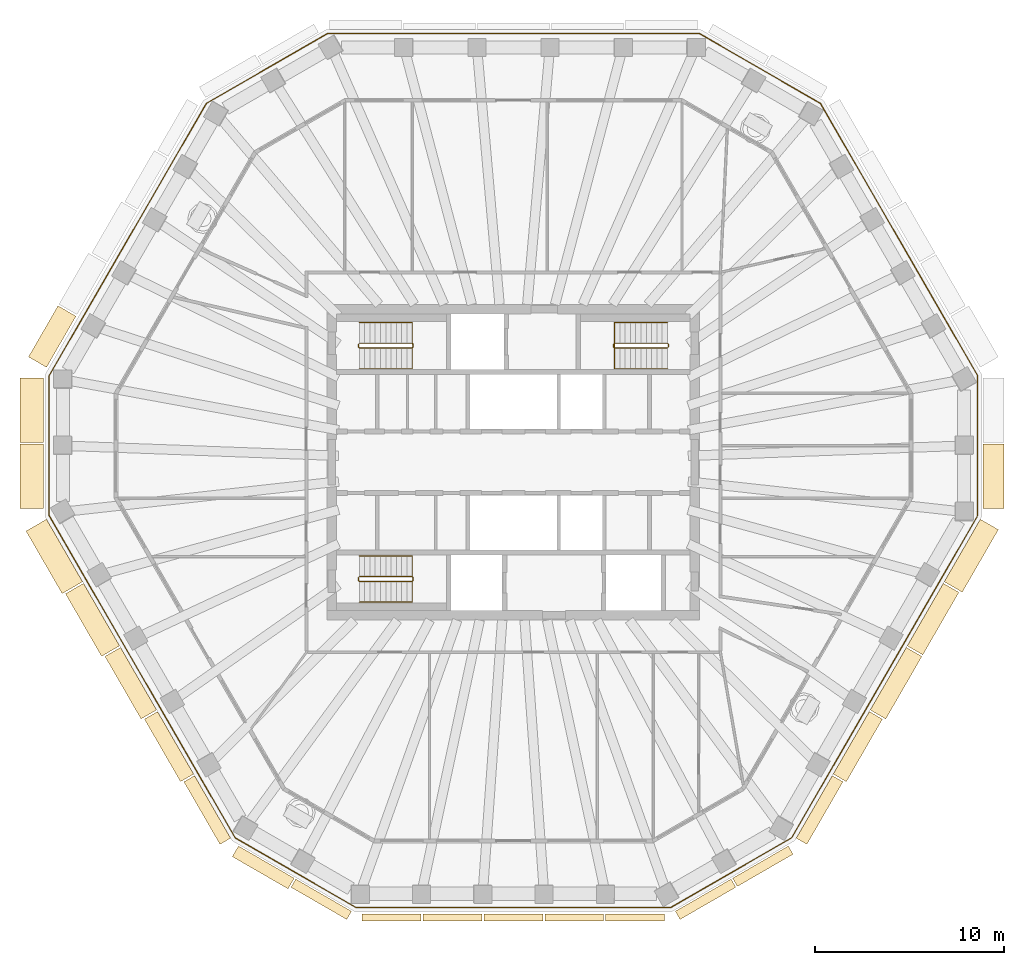
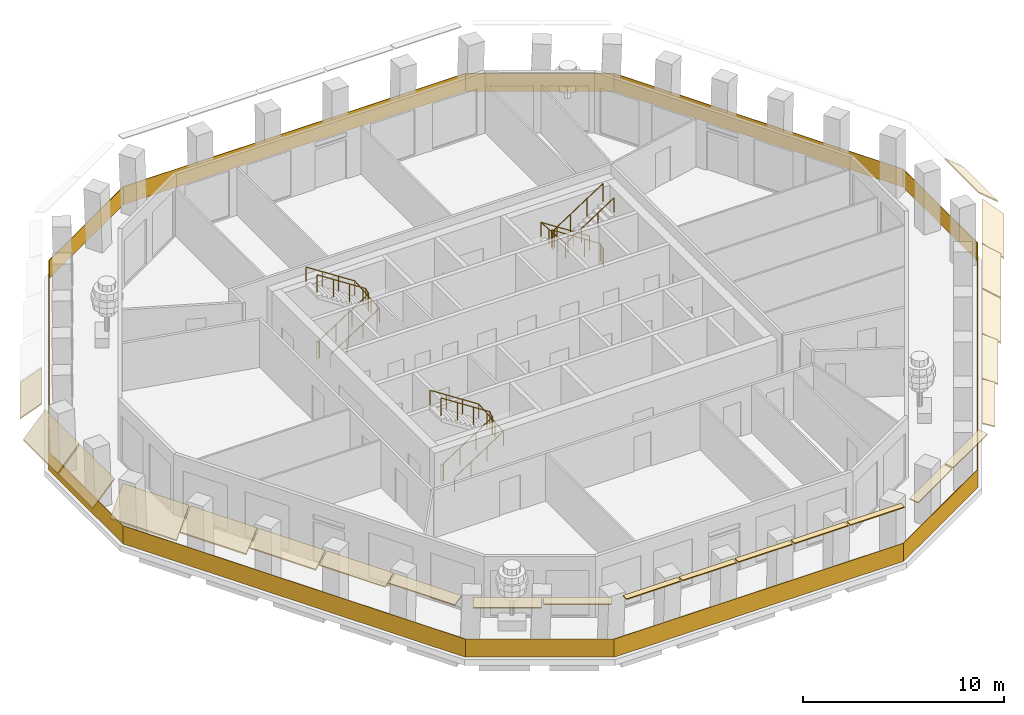
# One storey, part 9 of 12: 23 coverings, 7 railings.
"""IFC4 building model written with IfcOpenShell, lengths in metres."""

from ifc_helpers import new_model, si_unit, direction, frame, origin, origin_2d, place, context, subcontext, project, spatial, polyline, rectangle, circle, outline, extrude, material, layer, layer_set, type_object, element, save


model = new_model("IFC4")

# Units and contexts
model_context = context("Model", 3, precision=1e-05, world=origin(), true_north=direction((0.0, 1.0)))
body_context = subcontext(model_context, "Body", "Model", "MODEL_VIEW")
ifc_project = project(units=[si_unit("LENGTHUNIT", "METRE"), si_unit("AREAUNIT", "SQUARE_METRE"), si_unit("VOLUMEUNIT", "CUBIC_METRE"), si_unit("PLANEANGLEUNIT", "RADIAN"), si_unit("MASSUNIT", "GRAM", prefix="KILO")], contexts=[model_context])

# Site, building, storey
site_placement = place(None, origin())
site = spatial("IfcSite", under=ifc_project, at=site_placement, CompositionType="ELEMENT")
building_placement = place(site_placement, origin())
building = spatial("IfcBuilding", under=site, at=building_placement, Name="Frailejon Research Tower", CompositionType="ELEMENT")
storey_placement = place(building_placement, frame((0.0, 0.0, 291.0)))
storey = spatial("IfcBuildingStorey", under=building, at=storey_placement, Name="L64", CompositionType="ELEMENT", Elevation=291.0)

# Coverings
ifc_material_1 = material(Name="Precast concrete C50/60", Category="concrete")
ifc_layer_1 = layer(ifc_material_1, 0.06005859375)
ifc_layer_set_1 = layer_set([ifc_layer_1], Name="Brim blade depth 1100")
covering_type_1 = type_object("IfcCoveringType", Name="Brim blade depth 1100", PredefinedType="CLADDING", material=ifc_layer_set_1)
covering_1_placement = place(storey_placement, frame((24.8544921875, 0.95556640625, 3.85009765625), z_axis=(0.0, -1.0, 0.0), x_axis=(1.0, 0.0, 0.0)))
element("IfcCovering", 1, at=covering_1_placement, inside=storey, type_object=covering_type_1, Name="Brim blade L64", PredefinedType="CLADDING", context=body_context, shape_type="SweptSolid", body=[
    extrude(outline(polyline([(0.0, -0.078369140625), (1.10009765625, -1.001220703125), (1.10009765625, -0.923095703125), (0.0, 0.0), (0.0, -0.078369140625)])), origin(), (0.0, 0.0, 1.0), 3.40185546875),
])
covering_2_placement = place(storey_placement, frame((-24.7021484375, 5.02587890625, 3.85009765625), z_axis=(0.499997604048, 0.866026787083, 0.0), x_axis=(-0.866026787083, 0.499997604048, 0.0)))
element("IfcCovering", 2, at=covering_2_placement, inside=storey, type_object=covering_type_1, Name="Brim blade L64", PredefinedType="CLADDING", context=body_context, shape_type="SweptSolid", body=[
    extrude(outline(polyline([(0.0, -0.078369140625), (1.10009765625, -1.001220703125), (1.10009765625, -0.923095703125), (0.0, 0.0), (0.0, -0.078369140625)])), origin(), (0.0, 0.0, 1.0), 3.119384765625),
])
for number, where, z_axis, x_axis, name in (
    (3, (-20.8359375, -9.7109375, 3.85009765625), (-0.50000317175, 0.866023572566, 0.0), (-0.866023572566, -0.50000317175, 0.0), "Brim blade L64"),
    (4, (24.7021484375, -3.0146484375, 3.85009765625), (-0.499984019846, -0.866034629734, 0.0), (0.866034629734, -0.499984019846, 0.0), "Brim blade L64"),
):
    element("IfcCovering", number, at=place(storey_placement, frame(where, z_axis=z_axis, x_axis=x_axis)), inside=storey, type_object=covering_type_1, Name=name, PredefinedType="CLADDING", context=body_context, shape_type="SweptSolid", body=[
        extrude(outline(polyline([(0.0, -0.078369140625), (1.10009765625, -1.001220703125), (1.10009765625, -0.923095703125), (0.0, 0.0), (0.0, -0.078369140625)])), origin(), (0.0, 0.0, 1.0), 3.816162109375),
    ])
ifc_material_2 = material(Name="Precast concrete C50/60", Category="concrete")
ifc_layer_2 = layer(ifc_material_2, 0.06005859375)
ifc_layer_set_2 = layer_set([ifc_layer_2], Name="Brim blade depth 1250")
covering_type_2 = type_object("IfcCoveringType", Name="Brim blade depth 1250", PredefinedType="CLADDING", material=ifc_layer_set_2)
covering_3_placement = place(storey_placement, frame((-24.8544921875, 1.0556640625, 3.85009765625), z_axis=(0.0, 1.0, 0.0), x_axis=(-1.0, 0.0, 0.0)))
element("IfcCovering", 5, at=covering_3_placement, inside=storey, type_object=covering_type_2, Name="Brim blade L64", PredefinedType="CLADDING", context=body_context, shape_type="SweptSolid", body=[
    extrude(outline(polyline([(0.0, -0.0888671875), (1.25, -1.452880859375), (1.25, -1.364013671875), (0.0, 0.0), (0.0, -0.0888671875)])), origin(), (0.0, 0.0, 1.0), 3.402099609375),
])
covering_4_placement = place(storey_placement, frame((-24.8544921875, -2.4462890625, 3.85009765625), z_axis=(0.0, 1.0, 0.0), x_axis=(-1.0, 0.0, 0.0)))
element("IfcCovering", 6, at=covering_4_placement, inside=storey, type_object=covering_type_2, Name="Brim blade L64", PredefinedType="CLADDING", context=body_context, shape_type="SweptSolid", body=[
    extrude(outline(polyline([(0.0, -0.0888671875), (1.25, -1.452880859375), (1.25, -1.364013671875), (0.0, 0.0), (0.0, -0.0888671875)])), origin(), (0.0, 0.0, 1.0), 3.40185546875),
])
covering_5_placement = place(storey_placement, frame((-22.794189453125, -6.319580078125, 3.85009765625), z_axis=(-0.499984019846, 0.866034629734, 0.0), x_axis=(-0.866034629734, -0.499984019846, 0.0)))
element("IfcCovering", 7, at=covering_5_placement, inside=storey, type_object=covering_type_2, Name="Brim blade L64", PredefinedType="CLADDING", context=body_context, shape_type="SweptSolid", body=[
    extrude(outline(polyline([(0.0, -0.0888671875), (1.25, -1.452880859375), (1.25, -1.364013671875), (0.0, 0.0), (0.0, -0.0888671875)])), origin(), (0.0, 0.0, 1.0), 3.816162109375),
])
ifc_material_3 = material(Name="Precast concrete C50/60", Category="concrete")
ifc_layer_3 = layer(ifc_material_3, 0.06005859375)
ifc_layer_set_3 = layer_set([ifc_layer_3], Name="Brim blade depth 350")
covering_type_3 = type_object("IfcCoveringType", Name="Brim blade depth 350", PredefinedType="CLADDING", material=ifc_layer_set_3)
for number, where, z_axis, x_axis, name in (
    (8, (-4.879150390625, -23.905517578125, 3.85009765625), (-1.0, 0.0, 0.0), (0.0, -1.0, 0.0), "Brim blade L64"),
    (9, (-1.65966796875, -23.905517578125, 3.85009765625), (-1.0, 0.0, 0.0), (0.0, -1.0, 0.0), "Brim blade L64"),
    (10, (1.559814453125, -23.905517578125, 3.85009765625), (-1.0, 0.0, 0.0), (0.0, -1.0, 0.0), "Brim blade L64"),
    (11, (4.779052734375, -23.905517578125, 3.85009765625), (-1.0, 0.0, 0.0), (0.0, -1.0, 0.0), "Brim blade L64"),
    (12, (7.99853515625, -23.905517578125, 3.85009765625), (-1.0, 0.0, 0.0), (0.0, -1.0, 0.0), "Brim blade L64"),
):
    element("IfcCovering", number, at=place(storey_placement, frame(where, z_axis=z_axis, x_axis=x_axis)), inside=storey, type_object=covering_type_3, Name=name, PredefinedType="CLADDING", context=body_context, shape_type="SweptSolid", body=[
        extrude(outline(polyline([(0.0, -0.06005859375), (0.35009765625, -0.06005859375), (0.35009765625, 0.0), (0.0, 0.0), (0.0, -0.06005859375)])), origin(), (0.0, 0.0, 1.0), 3.119384765625),
    ])
ifc_material_4 = material(Name="Precast concrete C50/60", Category="concrete")
ifc_layer_4 = layer(ifc_material_4, 0.06005859375)
ifc_layer_set_4 = layer_set([ifc_layer_4], Name="Brim blade depth 500")
covering_type_4 = type_object("IfcCoveringType", Name="Brim blade depth 500", PredefinedType="CLADDING", material=ifc_layer_set_4)
for number, where, z_axis, x_axis, name in (
    (13, (-8.56689453125, -23.75341796875, 3.85009765625), (-0.866036272098, 0.499981175056, 0.0), (-0.499981175056, -0.866036272098, 0.0), "Brim blade L64"),
    (14, (11.512939453125, -22.052490234375, 3.85009765625), (-0.866036272098, -0.499981175056, 0.0), (0.499981175056, -0.866036272098, 0.0), "Brim blade L64"),
):
    element("IfcCovering", number, at=place(storey_placement, frame(where, z_axis=z_axis, x_axis=x_axis)), inside=storey, type_object=covering_type_4, Name=name, PredefinedType="CLADDING", context=body_context, shape_type="SweptSolid", body=[
        extrude(outline(polyline([(0.0, -0.060546875), (0.5, -0.130859375), (0.5, -0.0703125), (0.0, 0.0), (0.0, -0.060546875)])), origin(), (0.0, 0.0, 1.0), 3.40185546875),
    ])
covering_6_placement = place(storey_placement, frame((14.5458984375, -20.301513671875, 3.85009765625), z_axis=(-0.866023907216, -0.500002592124, 0.0), x_axis=(0.500002592124, -0.866023907216, 0.0)))
element("IfcCovering", 15, at=covering_6_placement, inside=storey, type_object=covering_type_4, Name="Brim blade L64", PredefinedType="CLADDING", context=body_context, shape_type="SweptSolid", body=[
    extrude(outline(polyline([(0.0, -0.060546875), (0.5, -0.130859375), (0.5, -0.0703125), (0.0, 0.0), (0.0, -0.060546875)])), origin(), (0.0, 0.0, 1.0), 3.402099609375),
])
ifc_material_5 = material(Name="Precast concrete C50/60", Category="concrete")
ifc_layer_5 = layer(ifc_material_5, 0.06005859375)
ifc_layer_set_5 = layer_set([ifc_layer_5], Name="Brim blade depth 650")
covering_type_5 = type_object("IfcCoveringType", Name="Brim blade depth 650", PredefinedType="CLADDING", material=ifc_layer_set_5)
covering_7_placement = place(storey_placement, frame((-14.9619140625, -19.885498046875, 3.85009765625), z_axis=(-0.50000317175, 0.866023572566, 0.0), x_axis=(-0.866023572566, -0.50000317175, 0.0)))
element("IfcCovering", 16, at=covering_7_placement, inside=storey, type_object=covering_type_5, Name="Brim blade L64", PredefinedType="CLADDING", context=body_context, shape_type="SweptSolid", body=[
    extrude(outline(polyline([(0.0, -0.0625), (0.64990234375, -0.248779296875), (0.64990234375, -0.186279296875), (0.0, 0.0), (0.0, -0.0625)])), origin(), (0.0, 0.0, 1.0), 3.816162109375),
])
covering_8_placement = place(storey_placement, frame((-11.599609375, -22.00244140625, 3.85009765625), z_axis=(-0.866023907216, 0.500002592124, 0.0), x_axis=(-0.500002592124, -0.866023907216, 0.0)))
element("IfcCovering", 17, at=covering_8_placement, inside=storey, type_object=covering_type_5, Name="Brim blade L64", PredefinedType="CLADDING", context=body_context, shape_type="SweptSolid", body=[
    extrude(outline(polyline([(0.0, -0.0625), (0.64990234375, -0.248779296875), (0.64990234375, -0.186279296875), (0.0, 0.0), (0.0, -0.0625)])), origin(), (0.0, 0.0, 1.0), 3.402099609375),
])
covering_9_placement = place(storey_placement, frame((16.869873046875, -16.58056640625, 3.85009765625), z_axis=(-0.50000317175, -0.866023572566, 0.0), x_axis=(0.866023572566, -0.50000317175, 0.0)))
element("IfcCovering", 18, at=covering_9_placement, inside=storey, type_object=covering_type_5, Name="Brim blade L64", PredefinedType="CLADDING", context=body_context, shape_type="SweptSolid", body=[
    extrude(outline(polyline([(0.0, -0.0625), (0.64990234375, -0.248779296875), (0.64990234375, -0.186279296875), (0.0, 0.0), (0.0, -0.0625)])), origin(), (0.0, 0.0, 1.0), 3.816162109375),
])
ifc_material_6 = material(Name="Precast concrete C50/60", Category="concrete")
ifc_layer_6 = layer(ifc_material_6, 0.06005859375)
ifc_layer_set_6 = layer_set([ifc_layer_6], Name="Brim blade depth 800")
covering_type_6 = type_object("IfcCoveringType", Name="Brim blade depth 800", PredefinedType="CLADDING", material=ifc_layer_set_6)
for number, where, z_axis, x_axis, name in (
    (19, (-16.919921875, -16.493896484375, 3.85009765625), (-0.499984019846, 0.866034629734, 0.0), (-0.866034629734, -0.499984019846, 0.0), "Brim blade L64"),
    (20, (18.827880859375, -13.18896484375, 3.85009765625), (-0.499984019846, -0.866034629734, 0.0), (0.866034629734, -0.499984019846, 0.0), "Brim blade L64"),
):
    element("IfcCovering", number, at=place(storey_placement, frame(where, z_axis=z_axis, x_axis=x_axis)), inside=storey, type_object=covering_type_6, Name=name, PredefinedType="CLADDING", context=body_context, shape_type="SweptSolid", body=[
        extrude(outline(polyline([(0.0, -0.065673828125), (0.800048828125, -0.421875), (0.800048828125, -0.356201171875), (0.0, 0.0), (0.0, -0.065673828125)])), origin(), (0.0, 0.0, 1.0), 3.816162109375),
    ])
ifc_material_7 = material(Name="Precast concrete C50/60", Category="concrete")
ifc_layer_7 = layer(ifc_material_7, 0.06005859375)
ifc_layer_set_7 = layer_set([ifc_layer_7], Name="Brim blade depth 950")
covering_type_7 = type_object("IfcCoveringType", Name="Brim blade depth 950", PredefinedType="CLADDING", material=ifc_layer_set_7)
for number, where, z_axis, x_axis, name in (
    (21, (-18.8779296875, -13.102294921875, 3.85009765625), (-0.500014229222, 0.866017188384, 0.0), (-0.866017188384, -0.500014229222, 0.0), "Brim blade L64"),
    (22, (20.785888671875, -9.797607421875, 3.85009765625), (-0.500014229222, -0.866017188384, 0.0), (0.866017188384, -0.500014229222, 0.0), "Brim blade L64"),
    (23, (22.744140625, -6.406005859375, 3.85009765625), (-0.50000317175, -0.866023572566, 0.0), (0.866023572566, -0.50000317175, 0.0), "Brim blade L64"),
):
    element("IfcCovering", number, at=place(storey_placement, frame(where, z_axis=z_axis, x_axis=x_axis)), inside=storey, type_object=covering_type_7, Name=name, PredefinedType="CLADDING", context=body_context, shape_type="SweptSolid", body=[
        extrude(outline(polyline([(0.0, -0.07080078125), (0.949951171875, -0.664306640625), (0.949951171875, -0.593505859375), (0.0, 0.0), (0.0, -0.07080078125)])), origin(), (0.0, 0.0, 1.0), 3.816162109375),
    ])

# Railings
ifc_material_8 = material(Name="Laminated glass balustrade", Category="glass")
railing_type_1 = type_object("IfcRailingType", Name="Glass guard 1100", PredefinedType="GUARDRAIL", material=ifc_material_8)
railing_1_placement = place(storey_placement, frame((24.563720703125, -2.818115234375, 0.0)))
element("IfcRailing", 24, at=railing_1_placement, inside=storey, type_object=railing_type_1, Name="Loggia guard L64", PredefinedType="GUARDRAIL", context=body_context, shape_type="SweptSolid", body=[
    extrude(rectangle(XDim=7.39599609375, YDim=0.030029296875, at=origin_2d()), frame((0.0, 3.697998046875, 0.0), z_axis=(0.0, 0.0, 1.0), x_axis=(0.0, 1.0, 0.0)), (0.0, 0.0, 1.0), 1.10009765625),
    extrude(rectangle(XDim=16.634521484375, YDim=0.030029296875, at=origin_2d()), frame((-4.15869140625, 14.59912109375, 0.0), z_axis=(0.0, 0.0, 1.0), x_axis=(-0.499992213966, 0.866029899007, 0.0)), (0.0, 0.0, 1.0), 1.10009765625),
    extrude(rectangle(XDim=7.396240234375, YDim=0.030029296875, at=origin_2d()), frame((-11.519775390625, 23.65087890625, 0.0), z_axis=(0.0, 0.0, 1.0), x_axis=(-0.866030573133, 0.49999104632, 0.0)), (0.0, 0.0, 1.0), 1.10009765625),
    extrude(rectangle(XDim=19.6826171875, YDim=0.030029296875, at=origin_2d()), frame((-24.563720703125, 25.5, 0.0), z_axis=(0.0, 0.0, 1.0), x_axis=(-1.0, 0.0, 0.0)), (0.0, 0.0, 1.0), 1.10009765625),
    extrude(rectangle(XDim=7.396240234375, YDim=0.030029296875, at=origin_2d()), frame((-37.607666015625, 23.65087890625, 0.0), z_axis=(0.0, 0.0, 1.0), x_axis=(-0.866030573133, -0.49999104632, 0.0)), (0.0, 0.0, 1.0), 1.10009765625),
    extrude(rectangle(XDim=16.634521484375, YDim=0.030029296875, at=origin_2d()), frame((-44.96875, 14.59912109375, 0.0), z_axis=(0.0, 0.0, 1.0), x_axis=(-0.499992213966, -0.866029899007, 0.0)), (0.0, 0.0, 1.0), 1.10009765625),
    extrude(rectangle(XDim=7.39599609375, YDim=0.030029296875, at=origin_2d()), frame((-49.12744140625, 3.697998046875, 0.0), z_axis=(0.0, 0.0, 1.0), x_axis=(0.0, -1.0, 0.0)), (0.0, 0.0, 1.0), 1.10009765625),
    extrude(rectangle(XDim=19.6826171875, YDim=0.030029296875, at=origin_2d()), frame((-44.206787109375, -8.52294921875, 0.0), z_axis=(0.0, 0.0, 1.0), x_axis=(0.499999828412, -0.866025502851, 0.0)), (0.0, 0.0, 1.0), 1.10009765625),
    extrude(rectangle(XDim=7.396240234375, YDim=0.030029296875, at=origin_2d()), frame((-36.08349609375, -18.89453125, 0.0), z_axis=(0.0, 0.0, 1.0), x_axis=(0.866030573133, -0.49999104632, 0.0)), (0.0, 0.0, 1.0), 1.10009765625),
    extrude(rectangle(XDim=16.63427734375, YDim=0.030029296875, at=origin_2d()), frame((-24.563720703125, -20.74365234375, 0.0), z_axis=(0.0, 0.0, 1.0), x_axis=(1.0, 0.0, 0.0)), (0.0, 0.0, 1.0), 1.10009765625),
    extrude(rectangle(XDim=7.396240234375, YDim=0.030029296875, at=origin_2d()), frame((-13.0439453125, -18.89453125, 0.0), z_axis=(0.0, 0.0, 1.0), x_axis=(0.866030573133, 0.49999104632, 0.0)), (0.0, 0.0, 1.0), 1.10009765625),
    extrude(rectangle(XDim=19.61279296875, YDim=0.030029296875, at=origin_2d()), frame((-4.93798828125, -8.55322265625, 0.0), z_axis=(0.0, 0.0, 1.0), x_axis=(0.500001535053, 0.866024517519, 0.0)), (0.0, 0.0, 1.0), 1.10009765625),
])
ifc_material_9 = material(Name="Stainless steel", Category="steel")
railing_type_2 = type_object("IfcRailingType", Name="Stair guard 1100", PredefinedType="GUARDRAIL", material=ifc_material_9)
railing_2_placement = place(storey_placement, frame((-8.199951171875, 6.25, 0.0)))
element("IfcRailing", 25, at=railing_2_placement, inside=storey, type_object=railing_type_2, Name="L64 ST1 stair guard 1", PredefinedType="GUARDRAIL", context=body_context, shape_type="SweptSolid", body=[
    extrude(circle(Radius=0.02392578125, at=origin_2d()), frame((0.0, 0.0, 1.076171875), z_axis=(0.0, -1.0, 0.0), x_axis=(1.0, 0.0, 0.0)), (0.0, 0.0, 1.0), 0.14990234375),
    extrude(circle(Radius=0.02392578125, at=origin_2d()), frame((0.0, -0.14990234375, 1.076171875), z_axis=(0.256435381639, -0.256435381639, 0.931923704005), x_axis=(0.707106781187, 0.707106781187, 0.0)), (0.0, 0.0, 1.0), 0.195068359375),
    extrude(circle(Radius=0.02392578125, at=origin_2d()), frame((0.050048828125, -0.199951171875, 1.2578125), z_axis=(0.83868413941, 0.0, 0.544618136222), x_axis=(0.0, 1.0, 0.0)), (0.0, 0.0, 1.0), 3.33837890625),
    extrude(circle(Radius=0.02392578125, at=origin_2d()), frame((2.849853515625, -0.199951171875, 3.076171875), z_axis=(0.707106781187, 0.707106781187, 0.0), x_axis=(-0.707106781187, 0.707106781187, 0.0)), (0.0, 0.0, 1.0), 0.07080078125),
    extrude(circle(Radius=0.02392578125, at=origin_2d()), frame((2.89990234375, -0.14990234375, 3.076171875), z_axis=(0.0, 1.0, 0.0), x_axis=(-1.0, 0.0, 0.0)), (0.0, 0.0, 1.0), 0.14990234375),
    extrude(circle(Radius=0.02392578125, at=origin_2d()), frame((2.89990234375, 0.0, 3.076171875), z_axis=(-0.256435381639, 0.256435381639, 0.931923704005), x_axis=(-0.707106781187, -0.707106781187, 0.0)), (0.0, 0.0, 1.0), 0.195068359375),
    extrude(circle(Radius=0.02392578125, at=origin_2d()), frame((2.849853515625, 0.050048828125, 3.2578125), z_axis=(-0.83868413941, 0.0, 0.544618136222), x_axis=(0.0, -1.0, 0.0)), (0.0, 0.0, 1.0), 3.33837890625),
    extrude(circle(Radius=0.02099609375, at=origin_2d()), origin(), (0.0, 0.0, 1.0), 1.052001953125),
    extrude(circle(Radius=0.02099609375, at=origin_2d()), frame((0.0, -0.14990234375, 0.0)), (0.0, 0.0, 1.0), 1.052001953125),
    extrude(circle(Radius=0.02099609375, at=origin_2d()), frame((0.050048828125, -0.199951171875, 0.181884765625)), (0.0, 0.0, 1.0), 1.052001953125),
    extrude(circle(Radius=0.02099609375, at=origin_2d()), frame((0.9833984375, -0.199951171875, 0.787841796875)), (0.0, 0.0, 1.0), 1.052001953125),
    extrude(circle(Radius=0.02099609375, at=origin_2d()), frame((1.91650390625, -0.199951171875, 1.39404296875)), (0.0, 0.0, 1.0), 1.052001953125),
    extrude(circle(Radius=0.02099609375, at=origin_2d()), frame((2.849853515625, -0.199951171875, 2.0)), (0.0, 0.0, 1.0), 1.052001953125),
    extrude(circle(Radius=0.02099609375, at=origin_2d()), frame((2.89990234375, -0.14990234375, 2.0)), (0.0, 0.0, 1.0), 1.052001953125),
    extrude(circle(Radius=0.02099609375, at=origin_2d()), frame((2.89990234375, 0.0, 2.0)), (0.0, 0.0, 1.0), 1.052001953125),
    extrude(circle(Radius=0.02099609375, at=origin_2d()), frame((2.849853515625, 0.050048828125, 2.181884765625)), (0.0, 0.0, 1.0), 1.052001953125),
    extrude(circle(Radius=0.02099609375, at=origin_2d()), frame((1.91650390625, 0.050048828125, 2.787841796875)), (0.0, 0.0, 1.0), 1.052001953125),
    extrude(circle(Radius=0.02099609375, at=origin_2d()), frame((0.9833984375, 0.050048828125, 3.39404296875)), (0.0, 0.0, 1.0), 1.052001953125),
    extrude(circle(Radius=0.02099609375, at=origin_2d()), frame((0.050048828125, 0.050048828125, 4.0)), (0.0, 0.0, 1.0), 1.052001953125),
])
railing_3_placement = place(storey_placement, frame((-8.199951171875, -6.10009765625, 0.0)))
element("IfcRailing", 26, at=railing_3_placement, inside=storey, type_object=railing_type_2, Name="L64 ST2 stair guard 1", PredefinedType="GUARDRAIL", context=body_context, shape_type="SweptSolid", body=[
    extrude(circle(Radius=0.02392578125, at=origin_2d()), frame((0.0, 0.0, 1.076171875), z_axis=(0.0, -1.0, 0.0), x_axis=(1.0, 0.0, 0.0)), (0.0, 0.0, 1.0), 0.14990234375),
    extrude(circle(Radius=0.02392578125, at=origin_2d()), frame((0.0, -0.14990234375, 1.076171875), z_axis=(0.256435381639, -0.256435381639, 0.931923704005), x_axis=(0.707106781187, 0.707106781187, 0.0)), (0.0, 0.0, 1.0), 0.195068359375),
    extrude(circle(Radius=0.02392578125, at=origin_2d()), frame((0.050048828125, -0.199951171875, 1.2578125), z_axis=(0.83868413941, 0.0, 0.544618136222), x_axis=(0.0, 1.0, 0.0)), (0.0, 0.0, 1.0), 3.33837890625),
    extrude(circle(Radius=0.02392578125, at=origin_2d()), frame((2.849853515625, -0.199951171875, 3.076171875), z_axis=(0.707106781187, 0.707106781187, 0.0), x_axis=(-0.707106781187, 0.707106781187, 0.0)), (0.0, 0.0, 1.0), 0.07080078125),
    extrude(circle(Radius=0.02392578125, at=origin_2d()), frame((2.89990234375, -0.14990234375, 3.076171875), z_axis=(0.0, 1.0, 0.0), x_axis=(-1.0, 0.0, 0.0)), (0.0, 0.0, 1.0), 0.14990234375),
    extrude(circle(Radius=0.02392578125, at=origin_2d()), frame((2.89990234375, 0.0, 3.076171875), z_axis=(-0.256435381639, 0.256435381639, 0.931923704005), x_axis=(-0.707106781187, -0.707106781187, 0.0)), (0.0, 0.0, 1.0), 0.195068359375),
    extrude(circle(Radius=0.02392578125, at=origin_2d()), frame((2.849853515625, 0.050048828125, 3.2578125), z_axis=(-0.83868413941, 0.0, 0.544618136222), x_axis=(0.0, -1.0, 0.0)), (0.0, 0.0, 1.0), 3.33837890625),
    extrude(circle(Radius=0.02099609375, at=origin_2d()), origin(), (0.0, 0.0, 1.0), 1.052001953125),
    extrude(circle(Radius=0.02099609375, at=origin_2d()), frame((0.0, -0.14990234375, 0.0)), (0.0, 0.0, 1.0), 1.052001953125),
    extrude(circle(Radius=0.02099609375, at=origin_2d()), frame((0.050048828125, -0.199951171875, 0.181884765625)), (0.0, 0.0, 1.0), 1.052001953125),
    extrude(circle(Radius=0.02099609375, at=origin_2d()), frame((0.9833984375, -0.199951171875, 0.787841796875)), (0.0, 0.0, 1.0), 1.052001953125),
    extrude(circle(Radius=0.02099609375, at=origin_2d()), frame((1.91650390625, -0.199951171875, 1.39404296875)), (0.0, 0.0, 1.0), 1.052001953125),
    extrude(circle(Radius=0.02099609375, at=origin_2d()), frame((2.849853515625, -0.199951171875, 2.0)), (0.0, 0.0, 1.0), 1.052001953125),
    extrude(circle(Radius=0.02099609375, at=origin_2d()), frame((2.89990234375, -0.14990234375, 2.0)), (0.0, 0.0, 1.0), 1.052001953125),
    extrude(circle(Radius=0.02099609375, at=origin_2d()), frame((2.89990234375, 0.0, 2.0)), (0.0, 0.0, 1.0), 1.052001953125),
    extrude(circle(Radius=0.02099609375, at=origin_2d()), frame((2.849853515625, 0.050048828125, 2.181884765625)), (0.0, 0.0, 1.0), 1.052001953125),
    extrude(circle(Radius=0.02099609375, at=origin_2d()), frame((1.91650390625, 0.050048828125, 2.787841796875)), (0.0, 0.0, 1.0), 1.052001953125),
    extrude(circle(Radius=0.02099609375, at=origin_2d()), frame((0.9833984375, 0.050048828125, 3.39404296875)), (0.0, 0.0, 1.0), 1.052001953125),
    extrude(circle(Radius=0.02099609375, at=origin_2d()), frame((0.050048828125, 0.050048828125, 4.0)), (0.0, 0.0, 1.0), 1.052001953125),
])
railing_4_placement = place(storey_placement, frame((8.199951171875, 6.10009765625, 0.0)))
element("IfcRailing", 27, at=railing_4_placement, inside=storey, type_object=railing_type_2, Name="L64 ST3 stair guard 1", PredefinedType="GUARDRAIL", context=body_context, shape_type="SweptSolid", body=[
    extrude(circle(Radius=0.02392578125, at=origin_2d()), frame((0.0, 0.0, 1.076171875), z_axis=(0.0, 1.0, 0.0), x_axis=(-1.0, 0.0, 0.0)), (0.0, 0.0, 1.0), 0.14990234375),
    extrude(circle(Radius=0.02392578125, at=origin_2d()), frame((0.0, 0.14990234375, 1.076171875), z_axis=(-0.256435381639, 0.256435381639, 0.931923704005), x_axis=(-0.707106781187, -0.707106781187, 0.0)), (0.0, 0.0, 1.0), 0.195068359375),
    extrude(circle(Radius=0.02392578125, at=origin_2d()), frame((-0.050048828125, 0.199951171875, 1.2578125), z_axis=(-0.83868413941, 0.0, 0.544618136222), x_axis=(0.0, -1.0, 0.0)), (0.0, 0.0, 1.0), 3.33837890625),
    extrude(circle(Radius=0.02392578125, at=origin_2d()), frame((-2.849853515625, 0.199951171875, 3.076171875), z_axis=(-0.707106781187, -0.707106781187, 0.0), x_axis=(0.707106781187, -0.707106781187, 0.0)), (0.0, 0.0, 1.0), 0.07080078125),
    extrude(circle(Radius=0.02392578125, at=origin_2d()), frame((-2.89990234375, 0.14990234375, 3.076171875), z_axis=(0.0, -1.0, 0.0), x_axis=(1.0, 0.0, 0.0)), (0.0, 0.0, 1.0), 0.14990234375),
    extrude(circle(Radius=0.02392578125, at=origin_2d()), frame((-2.89990234375, 0.0, 3.076171875), z_axis=(0.256435381639, -0.256435381639, 0.931923704005), x_axis=(0.707106781187, 0.707106781187, 0.0)), (0.0, 0.0, 1.0), 0.195068359375),
    extrude(circle(Radius=0.02392578125, at=origin_2d()), frame((-2.849853515625, -0.050048828125, 3.2578125), z_axis=(0.83868413941, 0.0, 0.544618136222), x_axis=(0.0, 1.0, 0.0)), (0.0, 0.0, 1.0), 3.33837890625),
    extrude(circle(Radius=0.02099609375, at=origin_2d()), origin(), (0.0, 0.0, 1.0), 1.052001953125),
    extrude(circle(Radius=0.02099609375, at=origin_2d()), frame((0.0, 0.14990234375, 0.0)), (0.0, 0.0, 1.0), 1.052001953125),
    extrude(circle(Radius=0.02099609375, at=origin_2d()), frame((-0.050048828125, 0.199951171875, 0.181884765625)), (0.0, 0.0, 1.0), 1.052001953125),
    extrude(circle(Radius=0.02099609375, at=origin_2d()), frame((-0.9833984375, 0.199951171875, 0.787841796875)), (0.0, 0.0, 1.0), 1.052001953125),
    extrude(circle(Radius=0.02099609375, at=origin_2d()), frame((-1.91650390625, 0.199951171875, 1.39404296875)), (0.0, 0.0, 1.0), 1.052001953125),
    extrude(circle(Radius=0.02099609375, at=origin_2d()), frame((-2.849853515625, 0.199951171875, 2.0)), (0.0, 0.0, 1.0), 1.052001953125),
    extrude(circle(Radius=0.02099609375, at=origin_2d()), frame((-2.89990234375, 0.14990234375, 2.0)), (0.0, 0.0, 1.0), 1.052001953125),
    extrude(circle(Radius=0.02099609375, at=origin_2d()), frame((-2.89990234375, 0.0, 2.0)), (0.0, 0.0, 1.0), 1.052001953125),
    extrude(circle(Radius=0.02099609375, at=origin_2d()), frame((-2.849853515625, -0.050048828125, 2.181884765625)), (0.0, 0.0, 1.0), 1.052001953125),
    extrude(circle(Radius=0.02099609375, at=origin_2d()), frame((-1.91650390625, -0.050048828125, 2.787841796875)), (0.0, 0.0, 1.0), 1.052001953125),
    extrude(circle(Radius=0.02099609375, at=origin_2d()), frame((-0.9833984375, -0.050048828125, 3.39404296875)), (0.0, 0.0, 1.0), 1.052001953125),
    extrude(circle(Radius=0.02099609375, at=origin_2d()), frame((-0.050048828125, -0.050048828125, 4.0)), (0.0, 0.0, 1.0), 1.052001953125),
])
ifc_material_10 = material(Name="Stainless steel", Category="steel")
railing_type_3 = type_object("IfcRailingType", Name="Stair handrail 900", PredefinedType="HANDRAIL", material=ifc_material_10)
railing_5_placement = place(storey_placement, frame((-8.14990234375, 4.949951171875, 0.181884765625)))
element("IfcRailing", 28, at=railing_5_placement, inside=storey, type_object=railing_type_3, Name="L64 ST1 stair handrail 1", PredefinedType="HANDRAIL", context=body_context, shape_type="SweptSolid", body=[
    extrude(circle(Radius=0.02392578125, at=origin_2d()), frame((0.0, 0.0, 0.8759765625), z_axis=(0.83868413941, 0.0, 0.544618136222), x_axis=(0.0, 1.0, 0.0)), (0.0, 0.0, 1.0), 3.33837890625),
    extrude(circle(Radius=0.02392578125, at=origin_2d()), frame((2.7998046875, 0.0, 2.69384765625), z_axis=(0.0, 0.997255538948, 0.074036410216), x_axis=(-1.0, 0.0, 0.0)), (0.0, 0.0, 1.0), 2.456787109375),
    extrude(circle(Radius=0.02392578125, at=origin_2d()), frame((2.7998046875, 2.449951171875, 2.8759765625), z_axis=(-0.83868413941, 0.0, 0.544618136222), x_axis=(0.0, -1.0, 0.0)), (0.0, 0.0, 1.0), 3.33837890625),
    extrude(circle(Radius=0.02099609375, at=origin_2d()), origin(), (0.0, 0.0, 1.0), 0.851806640625),
    extrude(circle(Radius=0.02099609375, at=origin_2d()), frame((0.933349609375, 0.0, 0.60595703125)), (0.0, 0.0, 1.0), 0.851806640625),
    extrude(circle(Radius=0.02099609375, at=origin_2d()), frame((1.866455078125, 0.0, 1.212158203125)), (0.0, 0.0, 1.0), 0.851806640625),
    extrude(circle(Radius=0.02099609375, at=origin_2d()), frame((2.7998046875, 0.0, 1.818115234375)), (0.0, 0.0, 1.0), 0.851806640625),
    extrude(circle(Radius=0.02099609375, at=origin_2d()), frame((2.7998046875, 0.816650390625, 1.878662109375)), (0.0, 0.0, 1.0), 0.851806640625),
    extrude(circle(Radius=0.02099609375, at=origin_2d()), frame((2.7998046875, 1.63330078125, 1.939453125)), (0.0, 0.0, 1.0), 0.851806640625),
    extrude(circle(Radius=0.02099609375, at=origin_2d()), frame((2.7998046875, 2.449951171875, 2.0)), (0.0, 0.0, 1.0), 0.851806640625),
    extrude(circle(Radius=0.02099609375, at=origin_2d()), frame((1.866455078125, 2.449951171875, 2.60595703125)), (0.0, 0.0, 1.0), 0.851806640625),
    extrude(circle(Radius=0.02099609375, at=origin_2d()), frame((0.933349609375, 2.449951171875, 3.212158203125)), (0.0, 0.0, 1.0), 0.851806640625),
    extrude(circle(Radius=0.02099609375, at=origin_2d()), frame((0.0, 2.449951171875, 3.818115234375)), (0.0, 0.0, 1.0), 0.851806640625),
])
railing_6_placement = place(storey_placement, frame((-8.14990234375, -7.39990234375, 0.181884765625)))
element("IfcRailing", 29, at=railing_6_placement, inside=storey, type_object=railing_type_3, Name="L64 ST2 stair handrail 1", PredefinedType="HANDRAIL", context=body_context, shape_type="SweptSolid", body=[
    extrude(circle(Radius=0.02392578125, at=origin_2d()), frame((0.0, 0.0, 0.8759765625), z_axis=(0.83868413941, 0.0, 0.544618136222), x_axis=(0.0, 1.0, 0.0)), (0.0, 0.0, 1.0), 3.33837890625),
    extrude(circle(Radius=0.02392578125, at=origin_2d()), frame((2.7998046875, 0.0, 2.69384765625), z_axis=(0.0, 0.997255538948, 0.074036410216), x_axis=(-1.0, 0.0, 0.0)), (0.0, 0.0, 1.0), 2.456787109375),
    extrude(circle(Radius=0.02392578125, at=origin_2d()), frame((2.7998046875, 2.449951171875, 2.8759765625), z_axis=(-0.83868413941, 0.0, 0.544618136222), x_axis=(0.0, -1.0, 0.0)), (0.0, 0.0, 1.0), 3.33837890625),
    extrude(circle(Radius=0.02099609375, at=origin_2d()), origin(), (0.0, 0.0, 1.0), 0.851806640625),
    extrude(circle(Radius=0.02099609375, at=origin_2d()), frame((0.933349609375, 0.0, 0.60595703125)), (0.0, 0.0, 1.0), 0.851806640625),
    extrude(circle(Radius=0.02099609375, at=origin_2d()), frame((1.866455078125, 0.0, 1.212158203125)), (0.0, 0.0, 1.0), 0.851806640625),
    extrude(circle(Radius=0.02099609375, at=origin_2d()), frame((2.7998046875, 0.0, 1.818115234375)), (0.0, 0.0, 1.0), 0.851806640625),
    extrude(circle(Radius=0.02099609375, at=origin_2d()), frame((2.7998046875, 0.816650390625, 1.878662109375)), (0.0, 0.0, 1.0), 0.851806640625),
    extrude(circle(Radius=0.02099609375, at=origin_2d()), frame((2.7998046875, 1.63330078125, 1.939453125)), (0.0, 0.0, 1.0), 0.851806640625),
    extrude(circle(Radius=0.02099609375, at=origin_2d()), frame((2.7998046875, 2.449951171875, 2.0)), (0.0, 0.0, 1.0), 0.851806640625),
    extrude(circle(Radius=0.02099609375, at=origin_2d()), frame((1.866455078125, 2.449951171875, 2.60595703125)), (0.0, 0.0, 1.0), 0.851806640625),
    extrude(circle(Radius=0.02099609375, at=origin_2d()), frame((0.933349609375, 2.449951171875, 3.212158203125)), (0.0, 0.0, 1.0), 0.851806640625),
    extrude(circle(Radius=0.02099609375, at=origin_2d()), frame((0.0, 2.449951171875, 3.818115234375)), (0.0, 0.0, 1.0), 0.851806640625),
])
railing_7_placement = place(storey_placement, frame((8.14990234375, 7.39990234375, 0.181884765625)))
element("IfcRailing", 30, at=railing_7_placement, inside=storey, type_object=railing_type_3, Name="L64 ST3 stair handrail 1", PredefinedType="HANDRAIL", context=body_context, shape_type="SweptSolid", body=[
    extrude(circle(Radius=0.02392578125, at=origin_2d()), frame((0.0, 0.0, 0.8759765625), z_axis=(-0.83868413941, 0.0, 0.544618136222), x_axis=(0.0, -1.0, 0.0)), (0.0, 0.0, 1.0), 3.33837890625),
    extrude(circle(Radius=0.02392578125, at=origin_2d()), frame((-2.7998046875, 0.0, 2.69384765625), z_axis=(0.0, -0.997255538948, 0.074036410216), x_axis=(1.0, 0.0, 0.0)), (0.0, 0.0, 1.0), 2.456787109375),
    extrude(circle(Radius=0.02392578125, at=origin_2d()), frame((-2.7998046875, -2.449951171875, 2.8759765625), z_axis=(0.83868413941, 0.0, 0.544618136222), x_axis=(0.0, 1.0, 0.0)), (0.0, 0.0, 1.0), 3.33837890625),
    extrude(circle(Radius=0.02099609375, at=origin_2d()), origin(), (0.0, 0.0, 1.0), 0.851806640625),
    extrude(circle(Radius=0.02099609375, at=origin_2d()), frame((-0.933349609375, 0.0, 0.60595703125)), (0.0, 0.0, 1.0), 0.851806640625),
    extrude(circle(Radius=0.02099609375, at=origin_2d()), frame((-1.866455078125, 0.0, 1.212158203125)), (0.0, 0.0, 1.0), 0.851806640625),
    extrude(circle(Radius=0.02099609375, at=origin_2d()), frame((-2.7998046875, 0.0, 1.818115234375)), (0.0, 0.0, 1.0), 0.851806640625),
    extrude(circle(Radius=0.02099609375, at=origin_2d()), frame((-2.7998046875, -0.816650390625, 1.878662109375)), (0.0, 0.0, 1.0), 0.851806640625),
    extrude(circle(Radius=0.02099609375, at=origin_2d()), frame((-2.7998046875, -1.63330078125, 1.939453125)), (0.0, 0.0, 1.0), 0.851806640625),
    extrude(circle(Radius=0.02099609375, at=origin_2d()), frame((-2.7998046875, -2.449951171875, 2.0)), (0.0, 0.0, 1.0), 0.851806640625),
    extrude(circle(Radius=0.02099609375, at=origin_2d()), frame((-1.866455078125, -2.449951171875, 2.60595703125)), (0.0, 0.0, 1.0), 0.851806640625),
    extrude(circle(Radius=0.02099609375, at=origin_2d()), frame((-0.933349609375, -2.449951171875, 3.212158203125)), (0.0, 0.0, 1.0), 0.851806640625),
    extrude(circle(Radius=0.02099609375, at=origin_2d()), frame((0.0, -2.449951171875, 3.818115234375)), (0.0, 0.0, 1.0), 0.851806640625),
])

save(model, "model.ifc")
